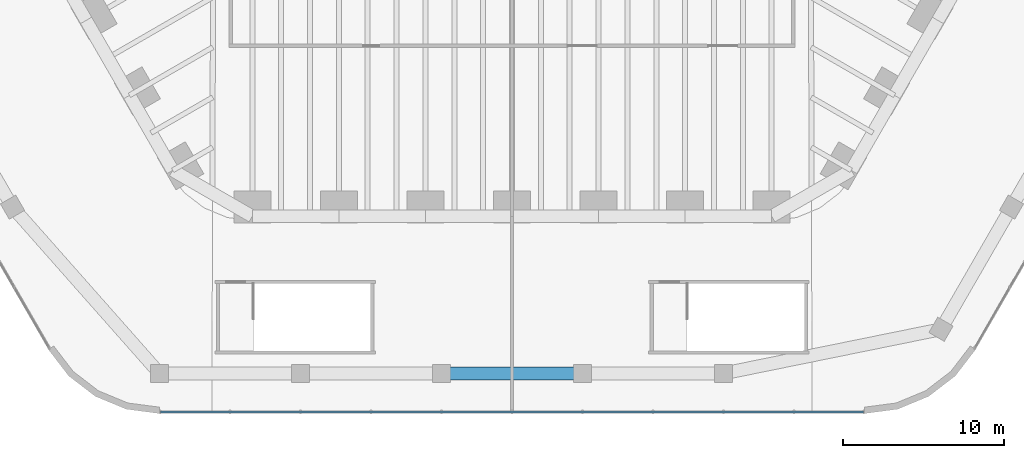
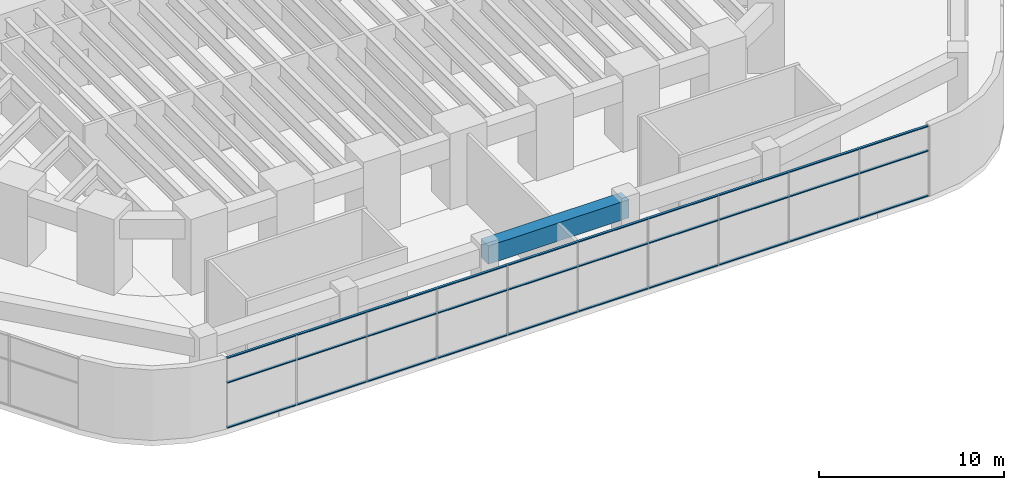
# One storey, part 6 of 31: 3 members, 1 beam, 1 element without a shape of its own.
"""IFC4 building model written with IfcOpenShell, lengths in metres."""

import ifcopenshell
import ifcopenshell.guid

model = None  # the IFC model being written
_history = None  # IfcOwnerHistory: only IFC2X3 demands one
_inside = {}  # id of a spatial element -> (the spatial element, [elements in it])
_under = {}  # id of a project, library or spatial element -> (it, [spatial elements below it])
_declared = {}  # id of a project -> (the project, [libraries it declares])
_typed = {}  # id of a type object -> (the type object, [elements of that type])
_made_of = {}  # id of a material, layer set ... -> (it, [elements and type objects made of it])


def new_model(schema):
    """Start an empty IFC model of exactly this schema.

    Asked for "IFC4X3", IfcOpenShell would pick the latest addendum, in which some entities
    have other attributes; the version numbers below select the first issue.
    IFC2X3 requires an IfcOwnerHistory on every rooted entity: one is made here for all.
    """
    global model, _history
    if schema == "IFC4X3":
        model = ifcopenshell.file(schema_version=(4, 3, 0, 0))
    else:
        model = ifcopenshell.file(schema=schema)
    _inside.clear()
    _under.clear()
    _declared.clear()
    _typed.clear()
    _made_of.clear()
    _history = None
    if model.schema == "IFC2X3":
        org = make("IfcOrganization", Name="unknown")
        user = make(
            "IfcPersonAndOrganization",
            ThePerson=make("IfcPerson", FamilyName="unknown"),
            TheOrganization=org,
        )
        app = make(
            "IfcApplication",
            ApplicationDeveloper=org,
            Version="unknown",
            ApplicationFullName="unknown",
            ApplicationIdentifier="unknown",
        )
        _history = make(
            "IfcOwnerHistory",
            OwningUser=user,
            OwningApplication=app,
            ChangeAction="ADDED",
            CreationDate=0,
        )
    return model


def make(cls, **values):
    """One entity of the class cls with the attributes given. An attribute that is None is left unset."""
    return model.create_entity(
        cls, **{name: value for name, value in values.items() if value is not None}
    )


def rooted(cls, **values):
    """An entity with a GlobalId (a new one), such as an element, a storey or a relation."""
    return make(cls, GlobalId=ifcopenshell.guid.new(), OwnerHistory=_history, **values)


def si_unit(unit_type, name, prefix=None):
    """IfcSIUnit, for example si_unit("LENGTHUNIT", "METRE", prefix="MILLI")."""
    return make("IfcSIUnit", UnitType=unit_type, Prefix=prefix, Name=name)


def assignment(units):
    """IfcUnitAssignment: the units of a project."""
    return None if units is None else make("IfcUnitAssignment", Units=units)


def point(xyz):
    """IfcCartesianPoint."""
    return None if xyz is None else make("IfcCartesianPoint", Coordinates=xyz)


def direction(xyz):
    """IfcDirection."""
    return None if xyz is None else make("IfcDirection", DirectionRatios=xyz)


def frame(location, z_axis=None, x_axis=None):
    """IfcAxis2Placement3D, a coordinate frame: its origin and axes. An axis left out is left unset."""
    return make(
        "IfcAxis2Placement3D",
        Location=point(location),
        Axis=direction(z_axis),
        RefDirection=direction(x_axis),
    )


def frame_2d(location, x_axis=None):
    """IfcAxis2Placement2D, a coordinate frame in the plane: its origin and x axis."""
    return make(
        "IfcAxis2Placement2D", Location=point(location), RefDirection=direction(x_axis)
    )


def origin():
    """The frame at (0, 0, 0) with its axes left unset."""
    return frame((0.0, 0.0, 0.0))


def origin_2d():
    """The frame at (0, 0) in the plane with its x axis left unset."""
    return frame_2d((0.0, 0.0))


def place(relative_to, where):
    """IfcLocalPlacement: puts the frame where relative to a parent placement (None: the world)."""
    return make(
        "IfcLocalPlacement", PlacementRelTo=relative_to, RelativePlacement=where
    )


def context(
    kind, dimensions, precision=None, world=None, true_north=None, identifier=None
):
    """IfcGeometricRepresentationContext, for example the 3D "Model" context."""
    return make(
        "IfcGeometricRepresentationContext",
        ContextIdentifier=identifier,
        ContextType=kind,
        CoordinateSpaceDimension=dimensions,
        Precision=precision,
        WorldCoordinateSystem=world,
        TrueNorth=true_north,
    )


def subcontext(parent, identifier, kind, view, scale=None):
    """IfcGeometricRepresentationSubContext, for example "Body" below "Model"."""
    return make(
        "IfcGeometricRepresentationSubContext",
        ContextIdentifier=identifier,
        ContextType=kind,
        ParentContext=parent,
        TargetScale=scale,
        TargetView=view,
    )


def project(units=None, contexts=None):
    """IfcProject with its units and contexts."""
    return rooted(
        "IfcProject",
        Name="project",
        RepresentationContexts=contexts,
        UnitsInContext=assignment(units),
    )


def spatial(cls, under=None, at=None, **own):
    """A site, building, storey or space (cls), placed at a placement, below another one or the project."""
    s = rooted(cls, ObjectPlacement=at, **own)
    if under is not None:
        _under.setdefault(under.id(), (under, []))[1].append(s)
    return s


def profile(cls, at=None, kind="AREA", **sizes):
    """A parametric profile (cls). Its sizes go by their IFC names, for example OverallWidth=200.0."""
    return make(cls, ProfileType=kind, Position=at, **sizes)


def rectangle(**sizes):
    """IfcRectangleProfileDef."""
    return profile("IfcRectangleProfileDef", **sizes)


def extrude(swept, where, along, depth):
    """IfcExtrudedAreaSolid: the profile swept, set in the frame where, extruded along a direction by depth."""
    return make(
        "IfcExtrudedAreaSolid",
        SweptArea=swept,
        Position=where,
        ExtrudedDirection=direction(along),
        Depth=depth,
    )


def shape(context_of_items, identifier, shape_type, items):
    """IfcShapeRepresentation: the items that make up one representation, for example the "Body"."""
    return make(
        "IfcShapeRepresentation",
        ContextOfItems=context_of_items,
        RepresentationIdentifier=identifier,
        RepresentationType=shape_type,
        Items=items,
    )


def material(Name=None, Category=None):
    """IfcMaterial."""
    return make("IfcMaterial", Name=Name, Category=Category)


def material_profile(
    of_material, cross_section, Name=None, Category=None, Priority=None
):
    """IfcMaterialProfile: a cross section and its material."""
    return make(
        "IfcMaterialProfile",
        Name=Name,
        Material=of_material,
        Profile=cross_section,
        Priority=Priority,
        Category=Category,
    )


def profile_set(profiles, Name=None, composite=None):
    """IfcMaterialProfileSet."""
    return make(
        "IfcMaterialProfileSet",
        Name=Name,
        MaterialProfiles=profiles,
        CompositeProfile=composite,
    )


def made_of(thing, what):
    """Note that an element or type object is made of a material, layer set ...; save() writes the relation."""
    if what is not None:
        _made_of.setdefault(what.id(), (what, []))[1].append(thing)
    return thing


def type_object(cls, material=None, **own):
    """A type object (cls), such as IfcWallType, which elements share."""
    return made_of(rooted(cls, **own), material)


def element(
    cls,
    number,
    at=None,
    inside=None,
    cuts=None,
    type_object=None,
    material=None,
    context=None,
    identifier="Body",
    shape_type=None,
    held_by="IfcProductDefinitionShape",
    body=None,
    shapes=None,
    **own,
):
    """One element of the class cls, such as IfcWall. Its Tag is "e" and its number.

    at: its placement. inside: the storey or other place that contains it. cuts: it is an
    opening in that element (IfcRelVoidsElement). A single representation is given by context,
    identifier, shape_type and body (its items); several are given by shapes. held_by: the class
    of the entity that holds the representations. save() writes the other relations.
    """
    e = rooted(cls, Tag="e%d" % number, ObjectPlacement=at, **own)
    if body is not None:
        shapes = [shape(context, identifier, shape_type, body)]
    if shapes is not None:
        e.Representation = make(held_by, Representations=shapes)
    if inside is not None:
        _inside.setdefault(inside.id(), (inside, []))[1].append(e)
    if cuts is not None:
        rooted(
            "IfcRelVoidsElement", RelatingBuildingElement=cuts, RelatedOpeningElement=e
        )
    if type_object is not None:
        _typed.setdefault(type_object.id(), (type_object, []))[1].append(e)
    return made_of(e, material)


def aggregate(whole, parts):
    """IfcRelAggregates: a whole, such as a stair, and the parts it consists of."""
    return rooted("IfcRelAggregates", RelatingObject=whole, RelatedObjects=parts)


def save(model, path):
    """Write the relations noted so far, then the file.

    IfcRelAggregates (storeys below a building ...), IfcRelContainedInSpatialStructure (elements
    in a storey), IfcRelDefinesByType, IfcRelAssociatesMaterial and IfcRelDeclares: one each for
    every whole, place, type object, material and project.
    """
    for whole, parts in _under.values():
        aggregate(whole, parts)
    for where, things in _inside.values():
        rooted(
            "IfcRelContainedInSpatialStructure",
            RelatedElements=things,
            RelatingStructure=where,
        )
    for kind, things in _typed.values():
        rooted("IfcRelDefinesByType", RelatedObjects=things, RelatingType=kind)
    for what, things in _made_of.values():
        rooted("IfcRelAssociatesMaterial", RelatedObjects=things, RelatingMaterial=what)
    for by, libraries in _declared.values():
        rooted("IfcRelDeclares", RelatingContext=by, RelatedDefinitions=libraries)
    model.write(path)


model = new_model("IFC4")

# Units and contexts
model_context = context("Model", 3, precision=1e-05, world=origin(), true_north=direction((0.0, 1.0)))
body_context = subcontext(model_context, "Body", "Model", "MODEL_VIEW")
ifc_project = project(units=[si_unit("LENGTHUNIT", "METRE"), si_unit("AREAUNIT", "SQUARE_METRE"), si_unit("VOLUMEUNIT", "CUBIC_METRE"), si_unit("PLANEANGLEUNIT", "RADIAN"), si_unit("MASSUNIT", "GRAM", prefix="KILO")], contexts=[model_context])

# Site, building, storey
site_placement = place(None, origin())
site = spatial("IfcSite", under=ifc_project, at=site_placement, CompositionType="ELEMENT")
building_placement = place(site_placement, origin())
building = spatial("IfcBuilding", under=site, at=building_placement, Name="Tarfa Lantern Tower", CompositionType="ELEMENT")
storey_placement = place(building_placement, frame((0.0, 0.0, 18.5)))
storey = spatial("IfcBuildingStorey", under=building, at=storey_placement, Name="L03", CompositionType="ELEMENT", Elevation=18.5)

# Curtain wall, members
ifc_material_1 = material(Name="Aluminium framed curtain wall", Category="aluminium")
curtain_wall_type = type_object("IfcCurtainWallType", Name="CW7 PODIUM GLAZING 4650", PredefinedType="USERDEFINED", material=ifc_material_1)
curtain_wall_placement = place(storey_placement, origin())
curtain_wall = element("IfcCurtainWall", 1, at=curtain_wall_placement, inside=storey, type_object=curtain_wall_type, Name="CW7 S L03", ObjectType="CURTAIN WALL", PredefinedType="USERDEFINED")
ifc_material_2 = material(Name="Aluminium transom", Category="aluminium")
ifc_material_profile_1 = material_profile(ifc_material_2, rectangle(XDim=0.14990234375, YDim=0.06494140625, at=origin_2d()), Name="AL TRANSOM 150x65")
ifc_profile_set_1 = profile_set([ifc_material_profile_1], Name="Aluminium transom")
member_type = type_object("IfcMemberType", Name="CWT1 TRANSOM 150x65", PredefinedType="USERDEFINED", material=ifc_profile_set_1)
member_1_placement = place(storey_placement, frame((-21.874267578125, -45.89990234375, 0.032470703125), z_axis=(1.0, 0.0, 0.0), x_axis=(0.0, 1.0, 0.0)))
member_1 = element("IfcMember", 2, at=member_1_placement, type_object=member_type, Name="CW7 transom 1.1", ObjectType="TRANSOM", PredefinedType="USERDEFINED", context=body_context, shape_type="SweptSolid", body=[
    extrude(rectangle(XDim=0.14990234375, YDim=0.06494140625, at=origin_2d()), origin(), (0.0, 0.0, 1.0), 43.74853515625),
])
member_2_placement = place(storey_placement, frame((-21.874267578125, -45.89990234375, 3.0), z_axis=(1.0, 0.0, 0.0), x_axis=(0.0, 1.0, 0.0)))
member_2 = element("IfcMember", 3, at=member_2_placement, type_object=member_type, Name="CW7 transom 1.2", ObjectType="TRANSOM", PredefinedType="USERDEFINED", context=body_context, shape_type="SweptSolid", body=[
    extrude(rectangle(XDim=0.14990234375, YDim=0.06494140625, at=origin_2d()), origin(), (0.0, 0.0, 1.0), 43.74853515625),
])
member_3_placement = place(storey_placement, frame((-21.874267578125, -45.89990234375, 4.617431640625), z_axis=(1.0, 0.0, 0.0), x_axis=(0.0, 1.0, 0.0)))
member_3 = element("IfcMember", 4, at=member_3_placement, type_object=member_type, Name="CW7 transom 1.3", ObjectType="TRANSOM", PredefinedType="USERDEFINED", context=body_context, shape_type="SweptSolid", body=[
    extrude(rectangle(XDim=0.14990234375, YDim=0.06494140625, at=origin_2d()), origin(), (0.0, 0.0, 1.0), 43.74853515625),
])
aggregate(curtain_wall, [member_1, member_2, member_3])

# Beam
ifc_material_3 = material(Name="Concrete C80/95", Category="concrete")
ifc_material_profile_2 = material_profile(ifc_material_3, rectangle(XDim=0.800048828125, YDim=1.199951171875, at=origin_2d()), Name="RC 800x1200")
ifc_profile_set_2 = profile_set([ifc_material_profile_2], Name="Concrete C80/95")
beam_type = type_object("IfcBeamType", Name="PB2 RC 800x1200", PredefinedType="BEAM", material=ifc_profile_set_2)
beam_placement = place(storey_placement, frame((-4.387939453125, -43.5, 4.050048828125), z_axis=(1.0, 0.0, 0.0), x_axis=(0.0, 1.0, 0.0)))
element("IfcBeam", 5, at=beam_placement, inside=storey, type_object=beam_type, Name="Podium ring beam S2", PredefinedType="BEAM", context=body_context, shape_type="SweptSolid", body=[
    extrude(rectangle(XDim=0.800048828125, YDim=1.199951171875, at=origin_2d()), origin(), (0.0, 0.0, 1.0), 8.77587890625),
])

save(model, "model.ifc")
